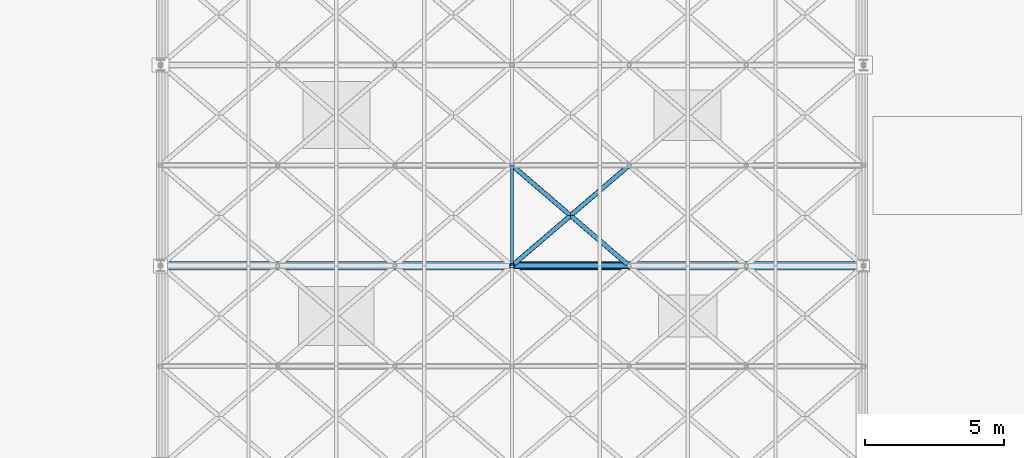
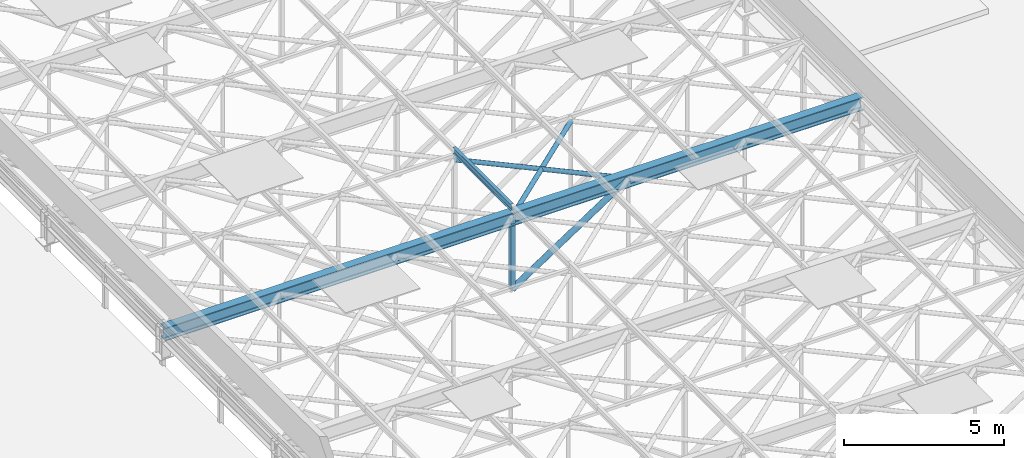
# One storey, part 14 of 45: 5 members, 1 beam.
"""IFC4 building model written with IfcOpenShell, lengths in metres."""

from ifc_helpers import new_model, si_unit, derived_unit, direction, frame, origin, origin_2d, place, context, subcontext, project, spatial, hollow_rectangle, hollow_circle, i_section, extrude, material, material_profile, profile_set, type_object, element, save


model = new_model("IFC4")

# Units and contexts
model_context = context("Model", 3, precision=1e-05, world=origin(), true_north=direction((0.0, 1.0)))
body_context = subcontext(model_context, "Body", "Model", "MODEL_VIEW")
ifc_project = project(units=[si_unit("LENGTHUNIT", "METRE"), si_unit("AREAUNIT", "SQUARE_METRE"), si_unit("VOLUMEUNIT", "CUBIC_METRE"), si_unit("PLANEANGLEUNIT", "RADIAN"), si_unit("MASSUNIT", "GRAM", prefix="KILO"), derived_unit("THERMALTRANSMITTANCEUNIT", [(si_unit("MASSUNIT", "GRAM", prefix="KILO"), 1), (si_unit("TIMEUNIT", "SECOND"), -3), (si_unit("THERMODYNAMICTEMPERATUREUNIT", "KELVIN"), -1)])], contexts=[model_context])

# Site, building, storey
site_placement = place(None, origin())
site = spatial("IfcSite", under=ifc_project, at=site_placement, CompositionType="ELEMENT")
building_placement = place(site_placement, origin())
building = spatial("IfcBuilding", under=site, at=building_placement, Name="Veldstrom Oceanarium and Marine Research Institute", CompositionType="ELEMENT")
storey_placement = place(building_placement, frame((0.0, 0.0, 22.199951171875)))
storey = spatial("IfcBuildingStorey", under=building, at=storey_placement, Name="L04", CompositionType="ELEMENT", Elevation=22.199951171875)

# Beam
ifc_material_1 = material(Name="Steel S355JR", Category="steel")
ifc_material_profile_1 = material_profile(ifc_material_1, i_section(OverallWidth=0.300048828125, OverallDepth=0.5, WebThickness=0.014404296875, FlangeThickness=0.028076171875, FilletRadius=0.027099609375, at=origin_2d()), Name="HEB 500")
ifc_profile_set_1 = profile_set([ifc_material_profile_1], Name="Steel S355JR")
beam_type = type_object("IfcBeamType", Name="STR-BM-SB4", PredefinedType="BEAM", material=ifc_profile_set_1)
beam_placement = place(storey_placement, frame((16.800048828125, 36.0, 0.860107421875), z_axis=(1.0, 0.0, 0.0), x_axis=(0.0, 1.0, 0.0)))
element("IfcBeam", 1, at=beam_placement, inside=storey, type_object=beam_type, Name="Aquarium Roof Truss Top-Chord Girder RT07", PredefinedType="BEAM", context=body_context, shape_type="SweptSolid", body=[
    extrude(i_section(OverallWidth=0.300048828125, OverallDepth=0.5, WebThickness=0.014404296875, FlangeThickness=0.028076171875, FilletRadius=0.027099609375, at=origin_2d()), origin(), (0.0, 0.0, 1.0), 25.199951171875),
])

# Members
ifc_material_2 = material(Name="Steel S355JR", Category="steel")
ifc_material_profile_2 = material_profile(ifc_material_2, hollow_circle(Radius=0.109619140625, WallThickness=0.012451171875, at=origin_2d()), Name="CHS 219.1x12.5")
ifc_profile_set_2 = profile_set([ifc_material_profile_2], Name="Steel S355JR")
member_type_1 = type_object("IfcMemberType", Name="STR-MEM-BR1", PredefinedType="BRACE", material=ifc_profile_set_2)
member_1_placement = place(storey_placement, frame((29.39990234375, 36.0, -1.89990234375), z_axis=(0.835716308246, 0.0, 0.549161408087), x_axis=(0.0, 1.0, 0.0)))
element("IfcMember", 2, at=member_1_placement, inside=storey, type_object=member_type_1, Name="Truss Web Diagonal RT07-4", PredefinedType="BRACE", context=body_context, shape_type="SweptSolid", body=[
    extrude(hollow_circle(Radius=0.109619140625, WallThickness=0.012451171875, at=origin_2d()), origin(), (0.0, 0.0, 1.0), 5.02587890625),
])
ifc_material_3 = material(Name="Steel S355JR", Category="steel")
ifc_material_profile_3 = material_profile(ifc_material_3, hollow_circle(Radius=0.084228515625, WallThickness=0.008056640625, at=origin_2d()), Name="CHS 168.3x8")
ifc_profile_set_3 = profile_set([ifc_material_profile_3], Name="Steel S355JR")
member_type_2 = type_object("IfcMemberType", Name="STR-MEM-BR3", PredefinedType="BRACE", material=ifc_profile_set_3)
for number, where, z_axis, x_axis, name in (
    (3, (29.39990234375, 36.0, 0.860107421875), (0.759262832861, 0.650784104474, 0.0), (-0.650784104474, 0.759262832861, 0.0), "Roof Plan Wind Brace WB-07-4"),
    (4, (33.60009765625, 36.0, 0.860107421875), (-0.759262832861, 0.650784104474, 0.0), (-0.650784104474, -0.759262832861, 0.0), "Roof Plan Counter Wind Brace WB-07-4B"),
):
    element("IfcMember", number, at=place(storey_placement, frame(where, z_axis=z_axis, x_axis=x_axis)), inside=storey, type_object=member_type_2, Name=name, PredefinedType="BRACE", context=body_context, shape_type="SweptSolid", body=[
        extrude(hollow_circle(Radius=0.084228515625, WallThickness=0.008056640625, at=origin_2d()), origin(), (0.0, 0.0, 1.0), 5.531982421875),
    ])
ifc_material_4 = material(Name="Steel S355JR", Category="steel")
ifc_material_profile_4 = material_profile(ifc_material_4, i_section(OverallWidth=0.1201171875, OverallDepth=0.239990234375, WebThickness=0.006103515625, FlangeThickness=0.009765625, FilletRadius=0.014892578125, at=origin_2d()), Name="IPE 240")
ifc_profile_set_4 = profile_set([ifc_material_profile_4], Name="Steel S355JR")
member_type_3 = type_object("IfcMemberType", Name="STR-MEM-PR1", PredefinedType="PURLIN", material=ifc_profile_set_4)
member_2_placement = place(storey_placement, frame((29.39990234375, 36.0, 1.22998046875), z_axis=(0.0, 1.0, 0.0), x_axis=(-1.0, 0.0, 0.0)))
element("IfcMember", 5, at=member_2_placement, inside=storey, type_object=member_type_3, Name="Hall Roof Purlin PR-08-5", PredefinedType="PURLIN", context=body_context, shape_type="SweptSolid", body=[
    extrude(i_section(OverallWidth=0.1201171875, OverallDepth=0.239990234375, WebThickness=0.006103515625, FlangeThickness=0.009765625, FilletRadius=0.014892578125, at=origin_2d()), origin(), (0.0, 0.0, 1.0), 3.60009765625),
])
ifc_material_5 = material(Name="Steel S355JR", Category="steel")
ifc_material_profile_5 = material_profile(ifc_material_5, hollow_rectangle(XDim=0.14990234375, YDim=0.14990234375, WallThickness=0.010009765625, at=origin_2d()), Name="SHS 150x150x10")
ifc_profile_set_5 = profile_set([ifc_material_profile_5], Name="Steel S355JR")
member_type_4 = type_object("IfcMemberType", Name="STR-MEM-PS1", PredefinedType="POST", material=ifc_profile_set_5)
member_3_placement = place(storey_placement, frame((29.39990234375, 36.0, -1.89990234375), z_axis=(0.0, 0.0, 1.0), x_axis=(1.0, 0.0, 0.0)))
element("IfcMember", 6, at=member_3_placement, inside=storey, type_object=member_type_4, Name="Truss Vertical Post RT07-4", PredefinedType="POST", context=body_context, shape_type="SweptSolid", body=[
    extrude(hollow_rectangle(XDim=0.14990234375, YDim=0.14990234375, WallThickness=0.010009765625, at=origin_2d()), origin(), (0.0, 0.0, 1.0), 2.760009765625),
])

save(model, "model.ifc")
